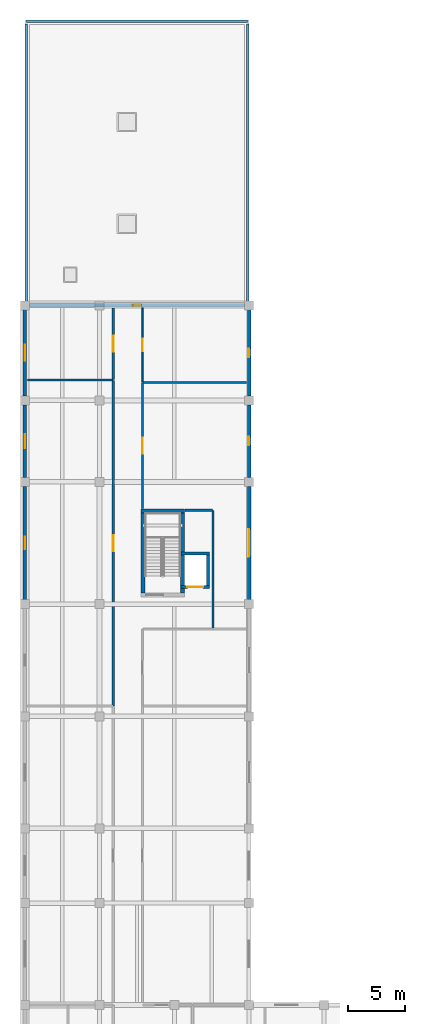
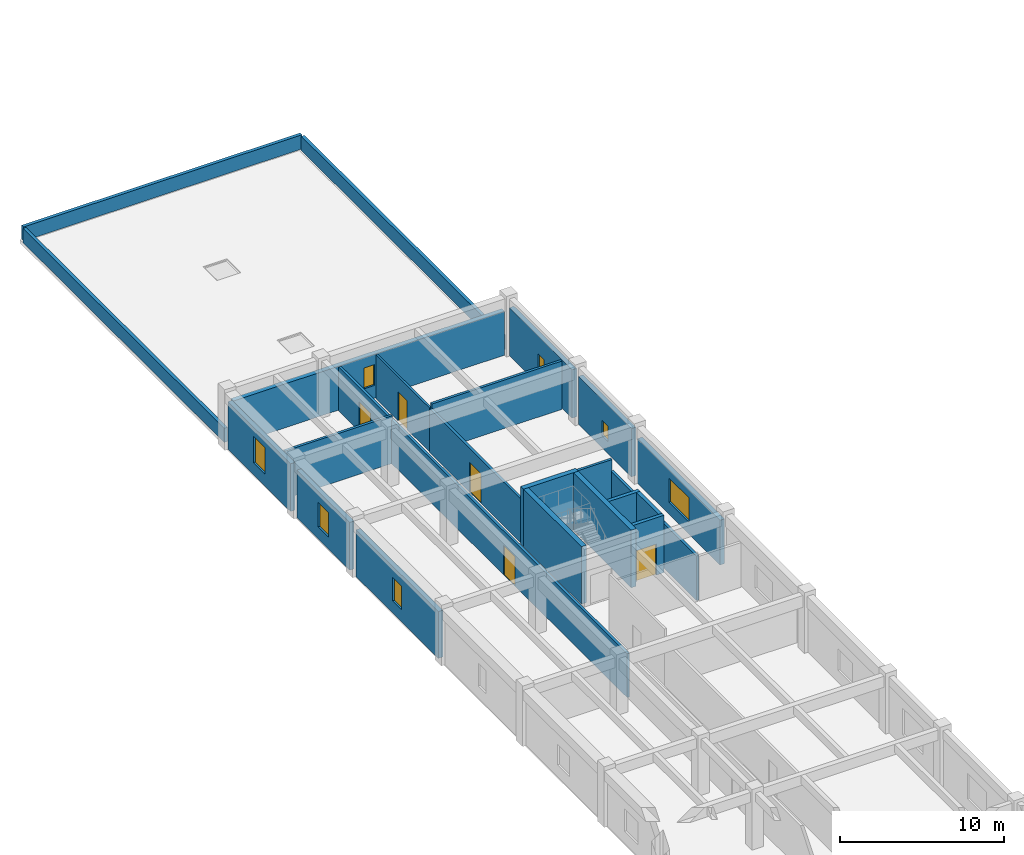
# One storey, part 45 of 54: 24 walls, 7 windows, 5 doors, 12 openings.
"""IFC4 building model written with IfcOpenShell, lengths in metres."""

from ifc_helpers import new_model, si_unit, direction, frame, frame_2d, origin, place, context, subcontext, project, spatial, rectangle, extrude, material, layer, layer_set, type_object, element, fill, save


model = new_model("IFC4")

# Units and contexts
model_context = context("Model", 3, precision=1e-05, world=origin(), true_north=direction((0.0, 1.0)))
body_context = subcontext(model_context, "Body", "Model", "MODEL_VIEW")
ifc_project = project(units=[si_unit("LENGTHUNIT", "METRE"), si_unit("AREAUNIT", "SQUARE_METRE"), si_unit("VOLUMEUNIT", "CUBIC_METRE"), si_unit("PLANEANGLEUNIT", "RADIAN"), si_unit("MASSUNIT", "GRAM", prefix="KILO")], contexts=[model_context])

# Site, building, storey
site_placement = place(None, origin())
site = spatial("IfcSite", under=ifc_project, at=site_placement, CompositionType="ELEMENT")
building_placement = place(site_placement, origin())
building = spatial("IfcBuilding", under=site, at=building_placement, Name="Miralva Faculty of Natural Sciences", CompositionType="ELEMENT")
storey_placement = place(building_placement, frame((0.0, 0.0, 19.5)))
storey = spatial("IfcBuildingStorey", under=building, at=storey_placement, Name="L04", CompositionType="ELEMENT", Elevation=19.5)

# Walls
ifc_material_1 = material(Name="Concrete C50/60", Category="concrete")
ifc_layer_1 = layer(ifc_material_1, 0.35009765625, Name="WL-CW02")
ifc_layer_set_1 = layer_set([ifc_layer_1], Name="Concrete C50/60")
wall_type_1 = type_object("IfcWallType", Name="WL-CW02", PredefinedType="SHEAR", material=ifc_layer_set_1)
wall_1_placement = place(storey_placement, frame((13.25, 73.625, 0.0), z_axis=(0.0, 0.0, 1.0), x_axis=(1.0, 0.0, 0.0)))
element("IfcWall", 1, at=wall_1_placement, inside=storey, type_object=wall_type_1, Name="Core C2 shear wall north L04", PredefinedType="SHEAR", context=body_context, shape_type="SweptSolid", body=[
    extrude(rectangle(XDim=3.85009765625, YDim=0.35009765625, at=frame_2d((1.925048828125, 0.0))), origin(), (0.0, 0.0, 1.0), 4.280029296875),
])
for number, where, z_axis, x_axis, name in (
    (2, (13.425048828125, 66.39990234375, 0.0), (0.0, 0.0, 1.0), (0.0, 1.0, 0.0), "Core C2 shear wall west L04"),
    (3, (16.925048828125, 66.39990234375, 0.0), (0.0, 0.0, 1.0), (0.0, 1.0, 0.0), "Core C2 shear wall east L04"),
):
    element("IfcWall", number, at=place(storey_placement, frame(where, z_axis=z_axis, x_axis=x_axis)), inside=storey, type_object=wall_type_1, Name=name, PredefinedType="SHEAR", context=body_context, shape_type="SweptSolid", body=[
        extrude(rectangle(XDim=7.050048828125, YDim=0.35009765625, at=frame_2d((3.52490234375, 0.0))), origin(), (0.0, 0.0, 1.0), 4.280029296875),
    ])

# Wall, opening, door
ifc_material_2 = material(Name="Concrete C40/50", Category="concrete")
ifc_layer_2 = layer(ifc_material_2, 0.25, Name="WL-CW04")
ifc_layer_set_2 = layer_set([ifc_layer_2], Name="Concrete C40/50")
wall_type_2 = type_object("IfcWallType", Name="WL-CW04", PredefinedType="SHEAR", material=ifc_layer_set_2)
wall_2_placement = place(storey_placement, frame((16.804931640625, 66.929931640625, 0.0), z_axis=(0.0, 0.0, 1.0), x_axis=(1.0, 0.0, 0.0)))
wall_2 = element("IfcWall", 4, at=wall_2_placement, inside=storey, type_object=wall_type_2, Name="Lift L-04 hoistway front wall L04", PredefinedType="SHEAR", context=body_context, shape_type="SweptSolid", body=[
    extrude(rectangle(XDim=2.489990234375, YDim=0.25, at=frame_2d((1.2451171875, 0.0))), origin(), (0.0, 0.0, 1.0), 4.260009765625),
])
opening_1_placement = place(wall_2_placement, frame((0.544921875, 0.0, 0.0)))
opening_1 = element("IfcOpeningElement", 5, at=opening_1_placement, cuts=wall_2, Name="Opening LD-04", PredefinedType="OPENING", context=body_context, shape_type="SweptSolid", body=[
    extrude(rectangle(XDim=1.39990234375, YDim=2.300048828125, at=frame_2d((0.699951171875, 1.14990234375))), frame((0.0, 0.135009765625, 0.0), z_axis=(0.0, -1.0, 0.0), x_axis=(1.0, 0.0, 0.0)), (0.0, 0.0, 1.0), 0.27001953125),
])
ifc_material_3 = material(Name="Galvanised steel", Category="steel")
door_type_1 = type_object("IfcDoorType", Name="DR-LD04", OperationType="DOUBLE_DOOR_SLIDING", PredefinedType="DOOR", material=ifc_material_3)
door_1_placement = place(opening_1_placement, frame((1.39990234375, 0.0, 0.0), z_axis=(0.0, 0.0, 1.0), x_axis=(-1.0, 0.0, 0.0)))
door_1 = element("IfcDoor", 6, at=door_1_placement, inside=storey, type_object=door_type_1, Name="Lift L-04 sliding landing door L04", OperationType="DOUBLE_DOOR_SLIDING", OverallHeight=2.300048828125, OverallWidth=1.39990234375, PredefinedType="DOOR", context=body_context, shape_type="SweptSolid", body=[
    extrude(rectangle(XDim=1.39990234375, YDim=2.300048828125, at=frame_2d((0.699951171875, 1.14990234375))), frame((0.0, 0.02490234375, 0.0), z_axis=(0.0, -1.0, 0.0), x_axis=(1.0, 0.0, 0.0)), (0.0, 0.0, 1.0), 0.050048828125),
])
fill(opening_1, door_1)

# Walls
wall_3_placement = place(storey_placement, frame((16.804931640625, 69.8701171875, 0.0), z_axis=(0.0, 0.0, 1.0), x_axis=(1.0, 0.0, 0.0)))
element("IfcWall", 7, at=wall_3_placement, inside=storey, type_object=wall_type_2, Name="Lift L-04 hoistway rear wall L04", PredefinedType="SHEAR", context=body_context, shape_type="SweptSolid", body=[
    extrude(rectangle(XDim=2.489990234375, YDim=0.25, at=frame_2d((1.2451171875, 0.0))), origin(), (0.0, 0.0, 1.0), 4.260009765625),
])
wall_4_placement = place(storey_placement, frame((19.169921875, 67.054931640625, 0.0), z_axis=(0.0, 0.0, 1.0), x_axis=(0.0, 1.0, 0.0)))
element("IfcWall", 8, at=wall_4_placement, inside=storey, type_object=wall_type_2, Name="Lift L-04 hoistway E wall L04", PredefinedType="SHEAR", context=body_context, shape_type="SweptSolid", body=[
    extrude(rectangle(XDim=2.690185546875, YDim=0.25, at=frame_2d((1.34521484375, 0.0))), origin(), (0.0, 0.0, 1.0), 4.260009765625),
])
ifc_material_4 = material(Name="Precast concrete C40/50", Category="concrete")
ifc_layer_3 = layer(ifc_material_4, 0.22998046875, Name="WL-PA01")
ifc_layer_set_3 = layer_set([ifc_layer_3], Name="Precast concrete C40/50")
wall_type_3 = type_object("IfcWallType", Name="WL-PA01", PredefinedType="PARAPET", material=ifc_layer_set_3)
wall_5_placement = place(storey_placement, frame((3.1201171875, 92.14990234375, 0.0), z_axis=(0.0, 0.0, 1.0), x_axis=(0.0, 1.0, 0.0)))
element("IfcWall", 9, at=wall_5_placement, inside=storey, type_object=wall_type_3, Name="Roof parapet L04-7", PredefinedType="PARAPET", context=body_context, shape_type="SweptSolid", body=[
    extrude(rectangle(XDim=24.5, YDim=0.22998046875, at=frame_2d((12.25, 0.0))), origin(), (0.0, 0.0, 1.0), 1.050048828125),
])
wall_6_placement = place(storey_placement, frame((3.1201171875, 116.8798828125, 0.0), z_axis=(0.0, 0.0, 1.0), x_axis=(1.0, 0.0, 0.0)))
element("IfcWall", 10, at=wall_6_placement, inside=storey, type_object=wall_type_3, Name="Roof parapet L04-8", PredefinedType="PARAPET", context=body_context, shape_type="SweptSolid", body=[
    extrude(rectangle(XDim=19.559814453125, YDim=0.22998046875, at=frame_2d((9.77978515625, 0.0))), origin(), (0.0, 0.0, 1.0), 1.050048828125),
])
wall_7_placement = place(storey_placement, frame((22.679931640625, 92.14990234375, 0.0), z_axis=(0.0, 0.0, 1.0), x_axis=(0.0, 1.0, 0.0)))
element("IfcWall", 11, at=wall_7_placement, inside=storey, type_object=wall_type_3, Name="Roof parapet L04-9", PredefinedType="PARAPET", context=body_context, shape_type="SweptSolid", body=[
    extrude(rectangle(XDim=24.5, YDim=0.22998046875, at=frame_2d((12.25, 0.0))), origin(), (0.0, 0.0, 1.0), 1.050048828125),
])
ifc_material_5 = material(Name="Gypsum plasterboard")
ifc_layer_4 = layer(ifc_material_5, 0.179931640625, Name="WL-PT02")
ifc_layer_set_4 = layer_set([ifc_layer_4], Name="Gypsum plasterboard")
wall_type_4 = type_object("IfcWallType", Name="WL-PT02", PredefinedType="PARTITIONING", material=ifc_layer_set_4)
wall_8_placement = place(storey_placement, frame((3.22998046875, 85.199951171875, 0.0), z_axis=(0.0, 0.0, 1.0), x_axis=(1.0, 0.0, 0.0)))
element("IfcWall", 12, at=wall_8_placement, inside=storey, type_object=wall_type_4, Name="Interior partition PT-02 L04-449", PredefinedType="PARTITIONING", context=body_context, shape_type="SweptSolid", body=[
    extrude(rectangle(XDim=7.5400390625, YDim=0.179931640625, at=frame_2d((3.77001953125, 0.0))), origin(), (0.0, 0.0, 1.0), 3.544921875),
])

# Wall, opening, door
wall_9_placement = place(storey_placement, frame((10.800048828125, 56.429931640625, 0.0), z_axis=(0.0, 0.0, 1.0), x_axis=(0.0, 1.0, 0.0)))
wall_9 = element("IfcWall", 13, at=wall_9_placement, inside=storey, type_object=wall_type_4, Name="Interior partition PT-02 L04-450", PredefinedType="PARTITIONING", context=body_context, shape_type="SweptSolid", body=[
    extrude(rectangle(XDim=28.739990234375, YDim=0.179931640625, at=frame_2d((14.3701171875, 0.0))), origin(), (0.0, 0.0, 1.0), 3.2548828125),
])
opening_2_placement = place(wall_9_placement, frame((13.669921875, 0.0, 0.0)))
opening_2 = element("IfcOpeningElement", 14, at=opening_2_placement, cuts=wall_9, Name="Opening D-14", PredefinedType="OPENING", context=body_context, shape_type="SweptSolid", body=[
    extrude(rectangle(XDim=1.39990234375, YDim=2.199951171875, at=frame_2d((0.699951171875, 1.10009765625))), frame((0.0, 0.099853515625, 0.0), z_axis=(0.0, -1.0, 0.0), x_axis=(1.0, 0.0, 0.0)), (0.0, 0.0, 1.0), 0.199951171875),
])
door_type_2 = type_object("IfcDoorType", Name="DR-DI14", OperationType="DOUBLE_DOOR_SINGLE_SWING", PredefinedType="DOOR", material=ifc_material_3)
door_2_placement = place(opening_2_placement, origin())
door_2 = element("IfcDoor", 15, at=door_2_placement, inside=storey, type_object=door_type_2, Name="Interior door D-14 L04-164", OperationType="DOUBLE_DOOR_SINGLE_SWING", OverallHeight=2.199951171875, OverallWidth=1.39990234375, PredefinedType="DOOR", context=body_context, shape_type="SweptSolid", body=[
    extrude(rectangle(XDim=1.39990234375, YDim=2.199951171875, at=frame_2d((0.699951171875, 1.10009765625))), frame((0.0, 0.02490234375, 0.0), z_axis=(0.0, -1.0, 0.0), x_axis=(1.0, 0.0, 0.0)), (0.0, 0.0, 1.0), 0.050048828125),
])
fill(opening_2, door_2)

# Wall
wall_10_placement = place(storey_placement, frame((13.429931640625, 85.0, 0.0), z_axis=(0.0, 0.0, 1.0), x_axis=(1.0, 0.0, 0.0)))
element("IfcWall", 16, at=wall_10_placement, inside=storey, type_object=wall_type_4, Name="Interior partition PT-02 L04-451", PredefinedType="PARTITIONING", context=body_context, shape_type="SweptSolid", body=[
    extrude(rectangle(XDim=9.14013671875, YDim=0.179931640625, at=frame_2d((4.570068359375, 0.0))), origin(), (0.0, 0.0, 1.0), 3.594970703125),
])

# Wall, opening, door
wall_11_placement = place(storey_placement, frame((13.39990234375, 73.853271484375, 0.0), z_axis=(0.0, 0.0, 1.0), x_axis=(0.0, 1.0, 0.0)))
wall_11 = element("IfcWall", 17, at=wall_11_placement, inside=storey, type_object=wall_type_4, Name="Interior partition PT-02 L04-452", PredefinedType="PARTITIONING", context=body_context, shape_type="SweptSolid", body=[
    extrude(rectangle(XDim=11.11669921875, YDim=0.179931640625, at=frame_2d((5.558349609375, 0.0))), origin(), (0.0, 0.0, 1.0), 3.2548828125),
])
opening_3_placement = place(wall_11_placement, frame((4.8583984375, 0.0, 0.0)))
opening_3 = element("IfcOpeningElement", 18, at=opening_3_placement, cuts=wall_11, Name="Opening D-14", PredefinedType="OPENING", context=body_context, shape_type="SweptSolid", body=[
    extrude(rectangle(XDim=1.39990234375, YDim=2.199951171875, at=frame_2d((0.699951171875, 1.10009765625))), frame((0.0, 0.099853515625, 0.0), z_axis=(0.0, -1.0, 0.0), x_axis=(1.0, 0.0, 0.0)), (0.0, 0.0, 1.0), 0.199951171875),
])
door_3_placement = place(opening_3_placement, origin())
door_3 = element("IfcDoor", 19, at=door_3_placement, inside=storey, type_object=door_type_2, Name="Interior door D-14 L04-165", OperationType="DOUBLE_DOOR_SINGLE_SWING", OverallHeight=2.199951171875, OverallWidth=1.39990234375, PredefinedType="DOOR", context=body_context, shape_type="SweptSolid", body=[
    extrude(rectangle(XDim=1.39990234375, YDim=2.199951171875, at=frame_2d((0.699951171875, 1.10009765625))), frame((0.0, 0.02490234375, 0.0), z_axis=(0.0, -1.0, 0.0), x_axis=(1.0, 0.0, 0.0)), (0.0, 0.0, 1.0), 0.050048828125),
])
fill(opening_3, door_3)

# Walls
wall_12_placement = place(storey_placement, frame((19.60009765625, 63.22998046875, 0.0), z_axis=(0.0, 0.0, 1.0), x_axis=(0.0, 1.0, 0.0)))
element("IfcWall", 20, at=wall_12_placement, inside=storey, type_object=wall_type_4, Name="Interior partition PT-02 L04-453", PredefinedType="PARTITIONING", context=body_context, shape_type="SweptSolid", body=[
    extrude(rectangle(XDim=10.43994140625, YDim=0.179931640625, at=frame_2d((5.219970703125, 0.0))), origin(), (0.0, 0.0, 1.0), 3.31494140625),
])
wall_13_placement = place(storey_placement, frame((17.140380859375, 73.699951171875, 0.0), z_axis=(0.0, 0.0, 1.0), x_axis=(1.0, 0.0, 0.0)))
element("IfcWall", 21, at=wall_13_placement, inside=storey, type_object=wall_type_4, Name="Interior partition PT-02 L04-454", PredefinedType="PARTITIONING", context=body_context, shape_type="SweptSolid", body=[
    extrude(rectangle(XDim=2.4296875, YDim=0.179931640625, at=frame_2d((1.21484375, 0.0))), origin(), (0.0, 0.0, 1.0), 4.179931640625),
])

# Wall, opening, door
wall_14_placement = place(storey_placement, frame((10.800048828125, 85.22998046875, 0.0), z_axis=(0.0, 0.0, 1.0), x_axis=(0.0, 1.0, 0.0)))
wall_14 = element("IfcWall", 22, at=wall_14_placement, inside=storey, type_object=wall_type_4, Name="Interior partition PT-02 L04-455", PredefinedType="PARTITIONING", context=body_context, shape_type="SweptSolid", body=[
    extrude(rectangle(XDim=6.340087890625, YDim=0.179931640625, at=frame_2d((3.169921875, 0.0))), origin(), (0.0, 0.0, 1.0), 3.264892578125),
])
opening_4_placement = place(wall_14_placement, frame((2.469970703125, 0.0, 0.0)))
opening_4 = element("IfcOpeningElement", 23, at=opening_4_placement, cuts=wall_14, Name="Opening D-14", PredefinedType="OPENING", context=body_context, shape_type="SweptSolid", body=[
    extrude(rectangle(XDim=1.39990234375, YDim=2.199951171875, at=frame_2d((0.699951171875, 1.10009765625))), frame((0.0, 0.099853515625, 0.0), z_axis=(0.0, -1.0, 0.0), x_axis=(1.0, 0.0, 0.0)), (0.0, 0.0, 1.0), 0.199951171875),
])
door_4_placement = place(opening_4_placement, origin())
door_4 = element("IfcDoor", 24, at=door_4_placement, inside=storey, type_object=door_type_2, Name="Interior door D-14 L04-166", OperationType="DOUBLE_DOOR_SINGLE_SWING", OverallHeight=2.199951171875, OverallWidth=1.39990234375, PredefinedType="DOOR", context=body_context, shape_type="SweptSolid", body=[
    extrude(rectangle(XDim=1.39990234375, YDim=2.199951171875, at=frame_2d((0.699951171875, 1.10009765625))), frame((0.0, 0.02490234375, 0.0), z_axis=(0.0, -1.0, 0.0), x_axis=(1.0, 0.0, 0.0)), (0.0, 0.0, 1.0), 0.050048828125),
])
fill(opening_4, door_4)

ifc_layer_5 = layer(ifc_material_5, 0.139892578125, Name="WL-PT04")
ifc_layer_set_5 = layer_set([ifc_layer_5], Name="Gypsum plasterboard")
wall_type_5 = type_object("IfcWallType", Name="WL-PT04", PredefinedType="PARTITIONING", material=ifc_layer_set_5)
wall_15_placement = place(storey_placement, frame((13.39990234375, 85.030029296875, 0.0), z_axis=(0.0, 0.0, 1.0), x_axis=(0.0, 1.0, 0.0)))
wall_15 = element("IfcWall", 25, at=wall_15_placement, inside=storey, type_object=wall_type_5, Name="Interior partition PT-04 L04-456", PredefinedType="PARTITIONING", context=body_context, shape_type="SweptSolid", body=[
    extrude(rectangle(XDim=6.5400390625, YDim=0.139892578125, at=frame_2d((3.27001953125, 0.0))), origin(), (0.0, 0.0, 1.0), 3.264892578125),
])
opening_5_placement = place(wall_15_placement, frame((2.72998046875, 0.0, 0.0)))
opening_5 = element("IfcOpeningElement", 26, at=opening_5_placement, cuts=wall_15, Name="Opening D-32", PredefinedType="OPENING", context=body_context, shape_type="SweptSolid", body=[
    extrude(rectangle(XDim=1.080078125, YDim=2.14990234375, at=frame_2d((0.5400390625, 1.074951171875))), frame((0.0, 0.079833984375, 0.0), z_axis=(0.0, -1.0, 0.0), x_axis=(1.0, 0.0, 0.0)), (0.0, 0.0, 1.0), 0.159912109375),
])
ifc_material_6 = material(Name="Anodised aluminium", Category="aluminium")
door_type_3 = type_object("IfcDoorType", Name="DR-DI32", OperationType="NOTDEFINED", PredefinedType="DOOR", material=ifc_material_6)
door_5_placement = place(opening_5_placement, origin())
door_5 = element("IfcDoor", 27, at=door_5_placement, inside=storey, type_object=door_type_3, Name="Interior door D-32 L04-167", OperationType="SINGLE_SWING_LEFT", OverallHeight=2.14990234375, OverallWidth=1.080078125, PredefinedType="DOOR", context=body_context, shape_type="SweptSolid", body=[
    extrude(rectangle(XDim=1.080078125, YDim=2.14990234375, at=frame_2d((0.5400390625, 1.074951171875))), frame((0.0, 0.02490234375, 0.0), z_axis=(0.0, -1.0, 0.0), x_axis=(1.0, 0.0, 0.0)), (0.0, 0.0, 1.0), 0.050048828125),
])
fill(opening_5, door_5)

# Wall, opening, window
ifc_layer_6 = layer(ifc_material_4, 0.320068359375, Name="WL-WT02")
ifc_layer_set_6 = layer_set([ifc_layer_6], Name="Precast concrete C40/50")
wall_type_6 = type_object("IfcWallType", Name="WL-WT02", PredefinedType="SOLIDWALL", material=ifc_layer_set_6)
wall_16_placement = place(storey_placement, frame((3.0, 65.784912109375, 0.0), z_axis=(0.0, 0.0, 1.0), x_axis=(0.0, 1.0, 0.0)))
wall_16 = element("IfcWall", 28, at=wall_16_placement, inside=storey, type_object=wall_type_6, Name="Exterior wall L04-258", PredefinedType="SOLIDWALL", context=body_context, shape_type="SweptSolid", body=[
    extrude(rectangle(XDim=10.030029296875, YDim=0.320068359375, at=frame_2d((5.01513671875, 0.0))), origin(), (0.0, 0.0, 1.0), 3.47509765625),
])
opening_6_placement = place(wall_16_placement, frame((4.465087890625, 0.0, 0.89990234375)))
opening_6 = element("IfcOpeningElement", 29, at=opening_6_placement, cuts=wall_16, Name="Opening W-22", PredefinedType="OPENING", context=body_context, shape_type="SweptSolid", body=[
    extrude(rectangle(XDim=1.10009765625, YDim=1.75, at=frame_2d((0.550048828125, 0.875))), frame((0.0, 0.169921875, 0.0), z_axis=(0.0, -1.0, 0.0), x_axis=(1.0, 0.0, 0.0)), (0.0, 0.0, 1.0), 0.340087890625),
])
ifc_material_7 = material(Name="Laminated solar-control glass", Category="glass")
window_type_1 = type_object("IfcWindowType", Name="WN-W22", PartitioningType="DOUBLE_PANEL_VERTICAL", PredefinedType="WINDOW", material=ifc_material_7)
window_1_placement = place(opening_6_placement, origin())
window_1 = element("IfcWindow", 30, at=window_1_placement, inside=storey, type_object=window_type_1, Name="Window W-22 L04-195", OverallHeight=1.75, OverallWidth=1.10009765625, PartitioningType="DOUBLE_PANEL_VERTICAL", PredefinedType="WINDOW", context=body_context, shape_type="SweptSolid", body=[
    extrude(rectangle(XDim=1.10009765625, YDim=1.75, at=frame_2d((0.550048828125, 0.875))), frame((0.0, 0.030029296875, 0.0), z_axis=(0.0, -1.0, 0.0), x_axis=(1.0, 0.0, 0.0)), (0.0, 0.0, 1.0), 0.06005859375),
])
fill(opening_6, window_1)

wall_17_placement = place(storey_placement, frame((3.0, 76.5849609375, 0.0), z_axis=(0.0, 0.0, 1.0), x_axis=(0.0, 1.0, 0.0)))
wall_17 = element("IfcWall", 31, at=wall_17_placement, inside=storey, type_object=wall_type_6, Name="Exterior wall L04-259", PredefinedType="SOLIDWALL", context=body_context, shape_type="SweptSolid", body=[
    extrude(rectangle(XDim=6.429931640625, YDim=0.320068359375, at=frame_2d((3.21484375, 0.0))), origin(), (0.0, 0.0, 1.0), 3.544921875),
])
opening_7_placement = place(wall_17_placement, frame((2.590087890625, 0.0, 0.89990234375)))
opening_7 = element("IfcOpeningElement", 32, at=opening_7_placement, cuts=wall_17, Name="Opening W-23", PredefinedType="OPENING", context=body_context, shape_type="SweptSolid", body=[
    extrude(rectangle(XDim=1.25, YDim=1.800048828125, at=frame_2d((0.625, 0.89990234375))), frame((0.0, 0.169921875, 0.0), z_axis=(0.0, -1.0, 0.0), x_axis=(1.0, 0.0, 0.0)), (0.0, 0.0, 1.0), 0.340087890625),
])
window_type_2 = type_object("IfcWindowType", Name="WN-W23", PartitioningType="DOUBLE_PANEL_VERTICAL", PredefinedType="WINDOW", material=ifc_material_7)
window_2_placement = place(opening_7_placement, origin())
window_2 = element("IfcWindow", 33, at=window_2_placement, inside=storey, type_object=window_type_2, Name="Window W-23 L04-196", OverallHeight=1.800048828125, OverallWidth=1.25, PartitioningType="DOUBLE_PANEL_VERTICAL", PredefinedType="WINDOW", context=body_context, shape_type="SweptSolid", body=[
    extrude(rectangle(XDim=1.25, YDim=1.800048828125, at=frame_2d((0.625, 0.89990234375))), frame((0.0, 0.030029296875, 0.0), z_axis=(0.0, -1.0, 0.0), x_axis=(1.0, 0.0, 0.0)), (0.0, 0.0, 1.0), 0.06005859375),
])
fill(opening_7, window_2)

wall_18_placement = place(storey_placement, frame((3.0, 83.784912109375, 0.0), z_axis=(0.0, 0.0, 1.0), x_axis=(0.0, 1.0, 0.0)))
wall_18 = element("IfcWall", 34, at=wall_18_placement, inside=storey, type_object=wall_type_6, Name="Exterior wall L04-260", PredefinedType="SOLIDWALL", context=body_context, shape_type="SweptSolid", body=[
    extrude(rectangle(XDim=7.630126953125, YDim=0.320068359375, at=frame_2d((3.81494140625, 0.0))), origin(), (0.0, 0.0, 1.0), 3.544921875),
])
opening_8_placement = place(wall_18_placement, frame((3.114990234375, 0.0, 0.89990234375)))
opening_8 = element("IfcOpeningElement", 35, at=opening_8_placement, cuts=wall_18, Name="Opening W-24", PredefinedType="OPENING", context=body_context, shape_type="SweptSolid", body=[
    extrude(rectangle(XDim=1.39990234375, YDim=1.949951171875, at=frame_2d((0.699951171875, 0.97509765625))), frame((0.0, 0.169921875, 0.0), z_axis=(0.0, -1.0, 0.0), x_axis=(1.0, 0.0, 0.0)), (0.0, 0.0, 1.0), 0.340087890625),
])
window_type_3 = type_object("IfcWindowType", Name="WN-W24", PartitioningType="DOUBLE_PANEL_VERTICAL", PredefinedType="WINDOW", material=ifc_material_7)
window_3_placement = place(opening_8_placement, origin())
window_3 = element("IfcWindow", 36, at=window_3_placement, inside=storey, type_object=window_type_3, Name="Window W-24 L04-197", OverallHeight=1.949951171875, OverallWidth=1.39990234375, PartitioningType="DOUBLE_PANEL_VERTICAL", PredefinedType="WINDOW", context=body_context, shape_type="SweptSolid", body=[
    extrude(rectangle(XDim=1.39990234375, YDim=1.949951171875, at=frame_2d((0.699951171875, 0.97509765625))), frame((0.0, 0.030029296875, 0.0), z_axis=(0.0, -1.0, 0.0), x_axis=(1.0, 0.0, 0.0)), (0.0, 0.0, 1.0), 0.06005859375),
])
fill(opening_8, window_3)

wall_19_placement = place(storey_placement, frame((22.800048828125, 65.784912109375, 0.0), z_axis=(0.0, 0.0, 1.0), x_axis=(0.0, 1.0, 0.0)))
wall_19 = element("IfcWall", 37, at=wall_19_placement, inside=storey, type_object=wall_type_6, Name="Exterior wall L04-265", PredefinedType="SOLIDWALL", context=body_context, shape_type="SweptSolid", body=[
    extrude(rectangle(XDim=10.030029296875, YDim=0.320068359375, at=frame_2d((5.01513671875, 0.0))), origin(), (0.0, 0.0, 1.0), 3.324951171875),
])
opening_9_placement = place(wall_19_placement, frame((3.7900390625, 0.0, 0.89990234375)))
opening_9 = element("IfcOpeningElement", 38, at=opening_9_placement, cuts=wall_19, Name="Opening W-40", PredefinedType="OPENING", context=body_context, shape_type="SweptSolid", body=[
    extrude(rectangle(XDim=2.449951171875, YDim=1.800048828125, at=frame_2d((1.22509765625, 0.89990234375))), frame((0.0, 0.169921875, 0.0), z_axis=(0.0, -1.0, 0.0), x_axis=(1.0, 0.0, 0.0)), (0.0, 0.0, 1.0), 0.340087890625),
])
window_type_4 = type_object("IfcWindowType", Name="WN-W40", PartitioningType="DOUBLE_PANEL_VERTICAL", PredefinedType="WINDOW", material=ifc_material_7)
window_4_placement = place(opening_9_placement, frame((2.449951171875, 0.0, 0.0), z_axis=(0.0, 0.0, 1.0), x_axis=(-1.0, 0.0, 0.0)))
window_4 = element("IfcWindow", 39, at=window_4_placement, inside=storey, type_object=window_type_4, Name="Window W-40 L04-202", OverallHeight=1.800048828125, OverallWidth=2.449951171875, PartitioningType="DOUBLE_PANEL_VERTICAL", PredefinedType="WINDOW", context=body_context, shape_type="SweptSolid", body=[
    extrude(rectangle(XDim=2.449951171875, YDim=1.800048828125, at=frame_2d((1.22509765625, 0.89990234375))), frame((0.0, 0.030029296875, 0.0), z_axis=(0.0, -1.0, 0.0), x_axis=(1.0, 0.0, 0.0)), (0.0, 0.0, 1.0), 0.06005859375),
])
fill(opening_9, window_4)

wall_20_placement = place(storey_placement, frame((22.800048828125, 76.5849609375, 0.0), z_axis=(0.0, 0.0, 1.0), x_axis=(0.0, 1.0, 0.0)))
wall_20 = element("IfcWall", 40, at=wall_20_placement, inside=storey, type_object=wall_type_6, Name="Exterior wall L04-266", PredefinedType="SOLIDWALL", context=body_context, shape_type="SweptSolid", body=[
    extrude(rectangle(XDim=6.429931640625, YDim=0.320068359375, at=frame_2d((3.21484375, 0.0))), origin(), (0.0, 0.0, 1.0), 3.594970703125),
])
opening_10_placement = place(wall_20_placement, frame((2.840087890625, 0.0, 0.89990234375)))
opening_10 = element("IfcOpeningElement", 41, at=opening_10_placement, cuts=wall_20, Name="Opening W-41", PredefinedType="OPENING", context=body_context, shape_type="SweptSolid", body=[
    extrude(rectangle(XDim=0.75, YDim=1.14990234375, at=frame_2d((0.375, 0.574951171875))), frame((0.0, 0.169921875, 0.0), z_axis=(0.0, -1.0, 0.0), x_axis=(1.0, 0.0, 0.0)), (0.0, 0.0, 1.0), 0.340087890625),
])
window_type_5 = type_object("IfcWindowType", Name="WN-W41", PartitioningType="DOUBLE_PANEL_VERTICAL", PredefinedType="WINDOW", material=ifc_material_7)
window_5_placement = place(opening_10_placement, frame((0.75, 0.0, 0.0), z_axis=(0.0, 0.0, 1.0), x_axis=(-1.0, 0.0, 0.0)))
window_5 = element("IfcWindow", 42, at=window_5_placement, inside=storey, type_object=window_type_5, Name="Window W-41 L04-203", OverallHeight=1.14990234375, OverallWidth=0.75, PartitioningType="DOUBLE_PANEL_VERTICAL", PredefinedType="WINDOW", context=body_context, shape_type="SweptSolid", body=[
    extrude(rectangle(XDim=0.75, YDim=1.14990234375, at=frame_2d((0.375, 0.574951171875))), frame((0.0, 0.030029296875, 0.0), z_axis=(0.0, -1.0, 0.0), x_axis=(1.0, 0.0, 0.0)), (0.0, 0.0, 1.0), 0.06005859375),
])
fill(opening_10, window_5)

wall_21_placement = place(storey_placement, frame((22.800048828125, 83.784912109375, 0.0), z_axis=(0.0, 0.0, 1.0), x_axis=(0.0, 1.0, 0.0)))
wall_21 = element("IfcWall", 43, at=wall_21_placement, inside=storey, type_object=wall_type_6, Name="Exterior wall L04-267", PredefinedType="SOLIDWALL", context=body_context, shape_type="SweptSolid", body=[
    extrude(rectangle(XDim=7.630126953125, YDim=0.320068359375, at=frame_2d((3.81494140625, 0.0))), origin(), (0.0, 0.0, 1.0), 3.594970703125),
])
opening_11_placement = place(wall_21_placement, frame((3.43994140625, 0.0, 0.89990234375)))
opening_11 = element("IfcOpeningElement", 44, at=opening_11_placement, cuts=wall_21, Name="Opening W-42", PredefinedType="OPENING", context=body_context, shape_type="SweptSolid", body=[
    extrude(rectangle(XDim=0.75, YDim=1.35009765625, at=frame_2d((0.375, 0.675048828125))), frame((0.0, 0.169921875, 0.0), z_axis=(0.0, -1.0, 0.0), x_axis=(1.0, 0.0, 0.0)), (0.0, 0.0, 1.0), 0.340087890625),
])
window_type_6 = type_object("IfcWindowType", Name="WN-W42", PartitioningType="DOUBLE_PANEL_VERTICAL", PredefinedType="WINDOW", material=ifc_material_7)
window_6_placement = place(opening_11_placement, frame((0.75, 0.0, 0.0), z_axis=(0.0, 0.0, 1.0), x_axis=(-1.0, 0.0, 0.0)))
window_6 = element("IfcWindow", 45, at=window_6_placement, inside=storey, type_object=window_type_6, Name="Window W-42 L04-204", OverallHeight=1.35009765625, OverallWidth=0.75, PartitioningType="DOUBLE_PANEL_VERTICAL", PredefinedType="WINDOW", context=body_context, shape_type="SweptSolid", body=[
    extrude(rectangle(XDim=0.75, YDim=1.35009765625, at=frame_2d((0.375, 0.675048828125))), frame((0.0, 0.030029296875, 0.0), z_axis=(0.0, -1.0, 0.0), x_axis=(1.0, 0.0, 0.0)), (0.0, 0.0, 1.0), 0.06005859375),
])
fill(opening_11, window_6)

wall_22_placement = place(storey_placement, frame((3.385009765625, 91.800048828125, 0.0), z_axis=(0.0, 0.0, 1.0), x_axis=(1.0, 0.0, 0.0)))
wall_22 = element("IfcWall", 46, at=wall_22_placement, inside=storey, type_object=wall_type_6, Name="Exterior wall L04-268", PredefinedType="SOLIDWALL", context=body_context, shape_type="SweptSolid", body=[
    extrude(rectangle(XDim=19.030029296875, YDim=0.320068359375, at=frame_2d((9.51513671875, 0.0))), origin(), (0.0, 0.0, 1.0), 3.264892578125),
])
opening_12_placement = place(wall_22_placement, frame((9.139892578125, 0.0, 0.949951171875)))
opening_12 = element("IfcOpeningElement", 47, at=opening_12_placement, cuts=wall_22, Name="Opening W-43", PredefinedType="OPENING", context=body_context, shape_type="SweptSolid", body=[
    extrude(rectangle(XDim=0.75, YDim=1.550048828125, at=frame_2d((0.375, 0.77490234375))), frame((0.0, 0.169921875, 0.0), z_axis=(0.0, -1.0, 0.0), x_axis=(1.0, 0.0, 0.0)), (0.0, 0.0, 1.0), 0.340087890625),
])
window_type_7 = type_object("IfcWindowType", Name="WN-W43", PartitioningType="DOUBLE_PANEL_VERTICAL", PredefinedType="WINDOW", material=ifc_material_7)
window_7_placement = place(opening_12_placement, origin())
window_7 = element("IfcWindow", 48, at=window_7_placement, inside=storey, type_object=window_type_7, Name="Window W-43 L04-205", OverallHeight=1.550048828125, OverallWidth=0.75, PartitioningType="DOUBLE_PANEL_VERTICAL", PredefinedType="WINDOW", context=body_context, shape_type="SweptSolid", body=[
    extrude(rectangle(XDim=0.75, YDim=1.550048828125, at=frame_2d((0.375, 0.77490234375))), frame((0.0, 0.030029296875, 0.0), z_axis=(0.0, -1.0, 0.0), x_axis=(1.0, 0.0, 0.0)), (0.0, 0.0, 1.0), 0.06005859375),
])
fill(opening_12, window_7)

save(model, "model.ifc")
